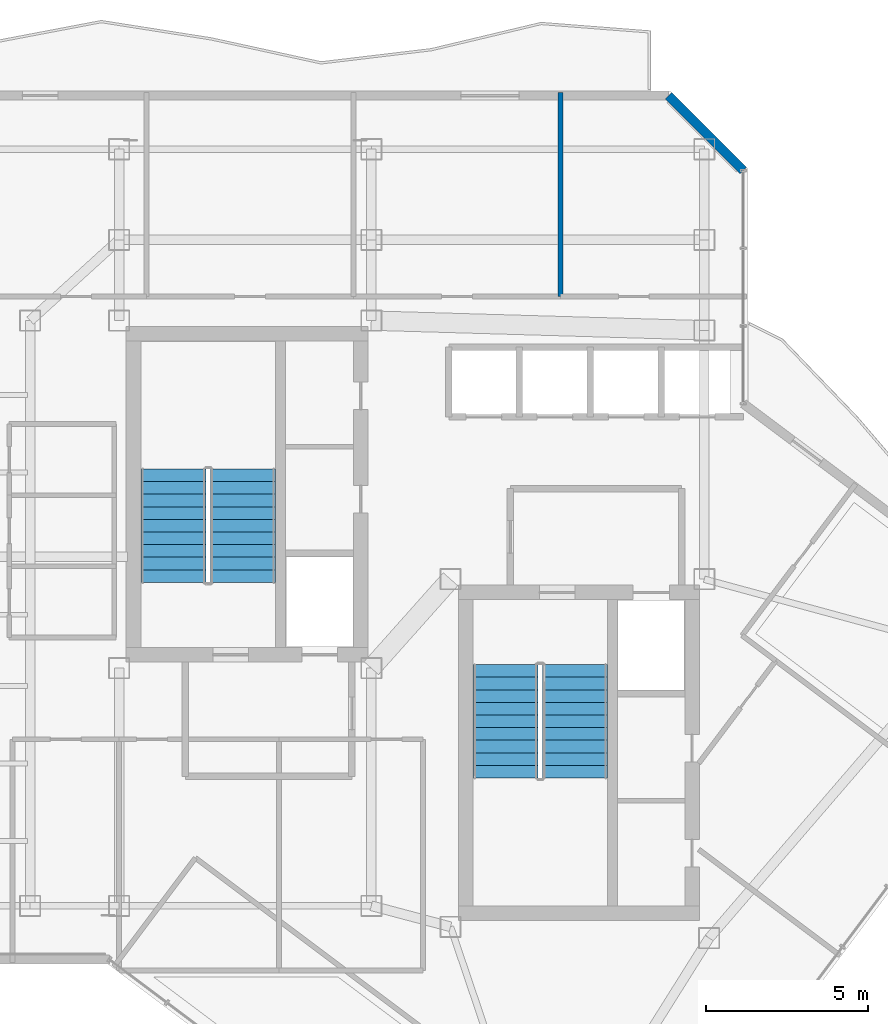
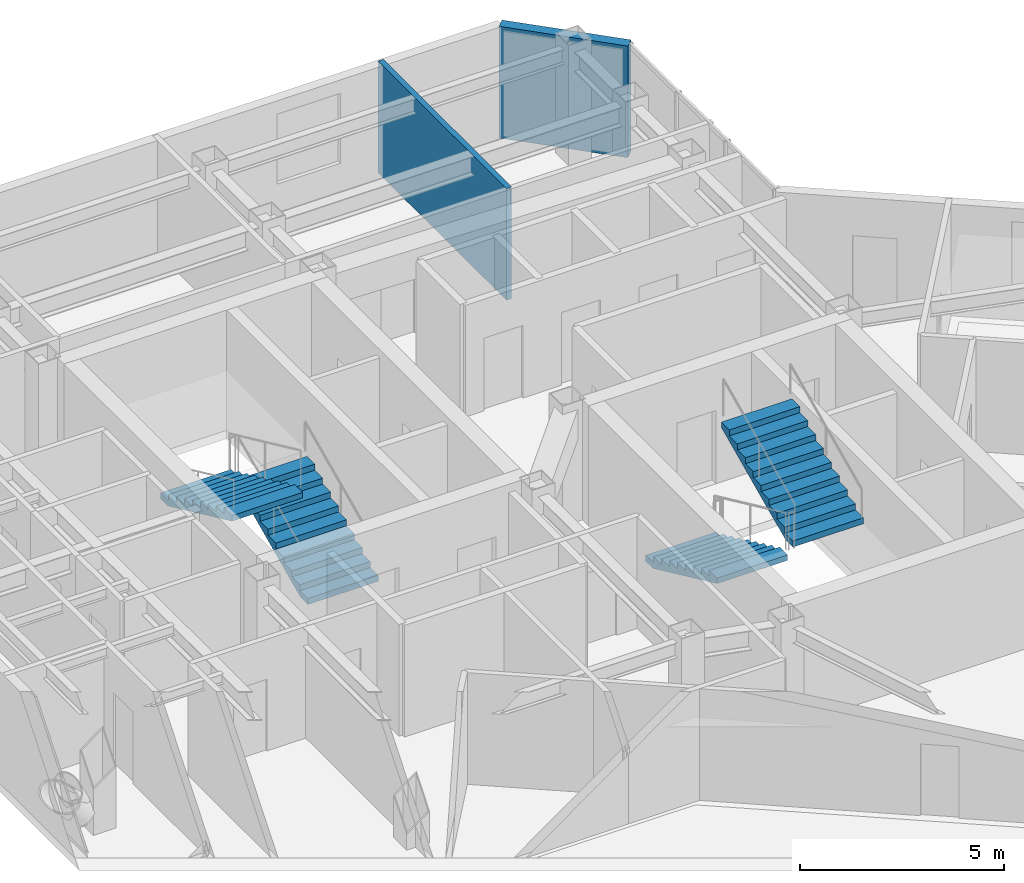
# One storey, part 18 of 21: 4 stair flights, 2 walls, 2 elements without a shape of their own.
"""IFC4 building model written with IfcOpenShell, lengths in metres."""

from ifc_helpers import new_model, si_unit, direction, frame, frame_2d, origin, place, context, subcontext, project, spatial, polyline, rectangle, outline, extrude, material, layer, layer_set, type_object, element, aggregate, save


model = new_model("IFC4")

# Units and contexts
model_context = context("Model", 3, precision=1e-05, world=origin(), true_north=direction((0.0, 1.0)))
body_context = subcontext(model_context, "Body", "Model", "MODEL_VIEW")
ifc_project = project(units=[si_unit("LENGTHUNIT", "METRE"), si_unit("AREAUNIT", "SQUARE_METRE"), si_unit("VOLUMEUNIT", "CUBIC_METRE"), si_unit("PLANEANGLEUNIT", "RADIAN"), si_unit("MASSUNIT", "GRAM", prefix="KILO")], contexts=[model_context])

# Site, building, storey
site_placement = place(None, origin())
site = spatial("IfcSite", under=ifc_project, at=site_placement, CompositionType="ELEMENT")
building_placement = place(site_placement, origin())
building = spatial("IfcBuilding", under=site, at=building_placement, Name="Hatsunagi Terrace Concourse", CompositionType="ELEMENT")
storey_placement = place(building_placement, frame((0.0, 0.0, 246.75)))
storey = spatial("IfcBuildingStorey", under=building, at=storey_placement, Name="L65", CompositionType="ELEMENT", Elevation=246.75)

# Walls
ifc_material_1 = material(Name="Acoustic mineral board", Category="gypsum")
ifc_layer_1 = layer(ifc_material_1, 0.14990234375)
ifc_layer_set_1 = layer_set([ifc_layer_1], Name="PartitionWall_EI60_150")
wall_type_1 = type_object("IfcWallType", Name="PartitionWall_EI60_150", PredefinedType="PARTITIONING", material=ifc_layer_set_1)
wall_1_placement = place(storey_placement, frame((39.199951171875, 44.050048828125, 0.0), z_axis=(0.0, 0.0, 1.0), x_axis=(0.0, 1.0, 0.0)))
element("IfcWall", 1, at=wall_1_placement, inside=storey, type_object=wall_type_1, Name="Interior Partition IW-L65-046", PredefinedType="PARTITIONING", context=body_context, shape_type="SweptSolid", body=[
    extrude(rectangle(XDim=6.31005859375, YDim=0.14990234375, at=frame_2d((3.155029296875, 0.0))), origin(), (0.0, 0.0, 1.0), 3.35009765625),
])
ifc_material_2 = material(Name="Autoclaved Lightweight Concrete and Terracotta Cladding", Category="masonry")
ifc_layer_2 = layer(ifc_material_2, 0.280029296875)
ifc_layer_set_2 = layer_set([ifc_layer_2], Name="TerracottaSpandrelWall_280")
wall_type_2 = type_object("IfcWallType", Name="TerracottaSpandrelWall_280", PredefinedType="STANDARD", material=ifc_layer_set_2)
wall_2_placement = place(storey_placement, frame((42.5419921875, 50.260009765625, 0.0), z_axis=(0.0, 0.0, 1.0), x_axis=(0.707106781187, -0.707106781187, 0.0)))
element("IfcWall", 2, at=wall_2_placement, inside=storey, type_object=wall_type_2, Name="Exterior Spandrel Wall EW-L65-11", PredefinedType="STANDARD", context=body_context, shape_type="SweptSolid", body=[
    extrude(rectangle(XDim=3.2783203125, YDim=0.280029296875, at=frame_2d((1.63916015625, 0.0))), origin(), (0.0, 0.0, 1.0), 3.35009765625),
])

# Stair, stair flights
ifc_material_3 = material(Name="Concrete Fc42", Category="concrete")
stair_type = type_object("IfcStairType", Name="DoglegExitStair_Tower2000_20R_180", PredefinedType="HALF_TURN_STAIR", material=ifc_material_3)
stair_1_placement = place(storey_placement, origin())
stair_1 = element("IfcStair", 3, at=stair_1_placement, inside=storey, type_object=stair_type, Name="L65 Core A Protected Exit Stair ST-A", PredefinedType="HALF_TURN_STAIR")
ifc_material_4 = material(Name="Concrete Fc42", Category="concrete")
stair_flight_type = type_object("IfcStairFlightType", Name="DoglegStairFlight_Tower2000_20R_180", PredefinedType="STRAIGHT", material=ifc_material_4)
stair_flight_1_placement = place(storey_placement, frame((29.3798828125, 35.199951171875, 0.0), z_axis=(0.0, 0.0, 1.0), x_axis=(0.0, 1.0, 0.0)))
stair_flight_1 = element("IfcStairFlight", 4, at=stair_flight_1_placement, type_object=stair_flight_type, Name="ST-A flight 1", NumberOfRisers=10, NumberOfTreads=9, PredefinedType="STRAIGHT", RiserHeight=0.18, TreadLength=0.39, context=body_context, shape_type="SweptSolid", body=[
    extrude(outline(polyline([(0.0, 0.0), (0.0, 0.179931640625), (0.389892578125, 0.179931640625), (0.389892578125, 0.360107421875), (0.780029296875, 0.360107421875), (0.780029296875, 0.5400390625), (1.169921875, 0.5400390625), (1.169921875, 0.719970703125), (1.56005859375, 0.719970703125), (1.56005859375, 0.89990234375), (1.949951171875, 0.89990234375), (1.949951171875, 1.080078125), (2.340087890625, 1.080078125), (2.340087890625, 1.260009765625), (2.72998046875, 1.260009765625), (2.72998046875, 1.43994140625), (3.1201171875, 1.43994140625), (3.1201171875, 1.6201171875), (3.510009765625, 1.6201171875), (3.510009765625, 1.800048828125), (3.510009765625, 1.454833984375), (0.357666015625, 0.0), (0.0, 0.0)])), frame((0.0, 1.0, 0.0), z_axis=(0.0, -1.0, 0.0), x_axis=(1.0, 0.0, 0.0)), (0.0, 0.0, 1.0), 2.0),
])
stair_flight_2_placement = place(storey_placement, frame((27.22998046875, 38.7099609375, 1.800048828125), z_axis=(0.0, 0.0, 1.0), x_axis=(0.0, -1.0, 0.0)))
stair_flight_2 = element("IfcStairFlight", 5, at=stair_flight_2_placement, type_object=stair_flight_type, Name="ST-A flight 2", NumberOfRisers=10, NumberOfTreads=9, PredefinedType="STRAIGHT", RiserHeight=0.18, TreadLength=0.39, context=body_context, shape_type="SweptSolid", body=[
    extrude(outline(polyline([(0.0, 0.0), (0.0, 0.179931640625), (0.389892578125, 0.179931640625), (0.389892578125, 0.360107421875), (0.780029296875, 0.360107421875), (0.780029296875, 0.5400390625), (1.169921875, 0.5400390625), (1.169921875, 0.719970703125), (1.56005859375, 0.719970703125), (1.56005859375, 0.89990234375), (1.949951171875, 0.89990234375), (1.949951171875, 1.080078125), (2.340087890625, 1.080078125), (2.340087890625, 1.260009765625), (2.72998046875, 1.260009765625), (2.72998046875, 1.43994140625), (3.1201171875, 1.43994140625), (3.1201171875, 1.6201171875), (3.510009765625, 1.6201171875), (3.510009765625, 1.800048828125), (3.510009765625, 1.454833984375), (0.357666015625, 0.0), (0.0, 0.0)])), frame((0.0, 1.0, 0.0), z_axis=(0.0, -1.0, 0.0), x_axis=(1.0, 0.0, 0.0)), (0.0, 0.0, 1.0), 2.0),
])
aggregate(stair_1, [stair_flight_1, stair_flight_2])

stair_2_placement = place(storey_placement, origin())
stair_2 = element("IfcStair", 6, at=stair_2_placement, inside=storey, type_object=stair_type, Name="L65 Core B Protected Exit Stair ST-B", PredefinedType="HALF_TURN_STAIR")
stair_flight_3_placement = place(storey_placement, frame((37.5, 32.659912109375, 0.0), z_axis=(0.0, 0.0, 1.0), x_axis=(0.0, -1.0, 0.0)))
stair_flight_3 = element("IfcStairFlight", 7, at=stair_flight_3_placement, type_object=stair_flight_type, Name="ST-B flight 1", NumberOfRisers=10, NumberOfTreads=9, PredefinedType="STRAIGHT", RiserHeight=0.18, TreadLength=0.39, context=body_context, shape_type="SweptSolid", body=[
    extrude(outline(polyline([(0.0, 0.0), (0.0, 0.179931640625), (0.389892578125, 0.179931640625), (0.389892578125, 0.360107421875), (0.780029296875, 0.360107421875), (0.780029296875, 0.5400390625), (1.169921875, 0.5400390625), (1.169921875, 0.719970703125), (1.56005859375, 0.719970703125), (1.56005859375, 0.89990234375), (1.949951171875, 0.89990234375), (1.949951171875, 1.080078125), (2.340087890625, 1.080078125), (2.340087890625, 1.260009765625), (2.72998046875, 1.260009765625), (2.72998046875, 1.43994140625), (3.1201171875, 1.43994140625), (3.1201171875, 1.6201171875), (3.510009765625, 1.6201171875), (3.510009765625, 1.800048828125), (3.510009765625, 1.454833984375), (0.357666015625, 0.0), (0.0, 0.0)])), frame((0.0, 1.0, 0.0), z_axis=(0.0, -1.0, 0.0), x_axis=(1.0, 0.0, 0.0)), (0.0, 0.0, 1.0), 2.0),
])
stair_flight_4_placement = place(storey_placement, frame((39.64990234375, 29.14990234375, 1.800048828125), z_axis=(0.0, 0.0, 1.0), x_axis=(0.0, 1.0, 0.0)))
stair_flight_4 = element("IfcStairFlight", 8, at=stair_flight_4_placement, type_object=stair_flight_type, Name="ST-B flight 2", NumberOfRisers=10, NumberOfTreads=9, PredefinedType="STRAIGHT", RiserHeight=0.18, TreadLength=0.39, context=body_context, shape_type="SweptSolid", body=[
    extrude(outline(polyline([(0.0, 0.0), (0.0, 0.179931640625), (0.389892578125, 0.179931640625), (0.389892578125, 0.360107421875), (0.780029296875, 0.360107421875), (0.780029296875, 0.5400390625), (1.169921875, 0.5400390625), (1.169921875, 0.719970703125), (1.56005859375, 0.719970703125), (1.56005859375, 0.89990234375), (1.949951171875, 0.89990234375), (1.949951171875, 1.080078125), (2.340087890625, 1.080078125), (2.340087890625, 1.260009765625), (2.72998046875, 1.260009765625), (2.72998046875, 1.43994140625), (3.1201171875, 1.43994140625), (3.1201171875, 1.6201171875), (3.510009765625, 1.6201171875), (3.510009765625, 1.800048828125), (3.510009765625, 1.454833984375), (0.357666015625, 0.0), (0.0, 0.0)])), frame((0.0, 1.0, 0.0), z_axis=(0.0, -1.0, 0.0), x_axis=(1.0, 0.0, 0.0)), (0.0, 0.0, 1.0), 2.0),
])
aggregate(stair_2, [stair_flight_3, stair_flight_4])

save(model, "model.ifc")
